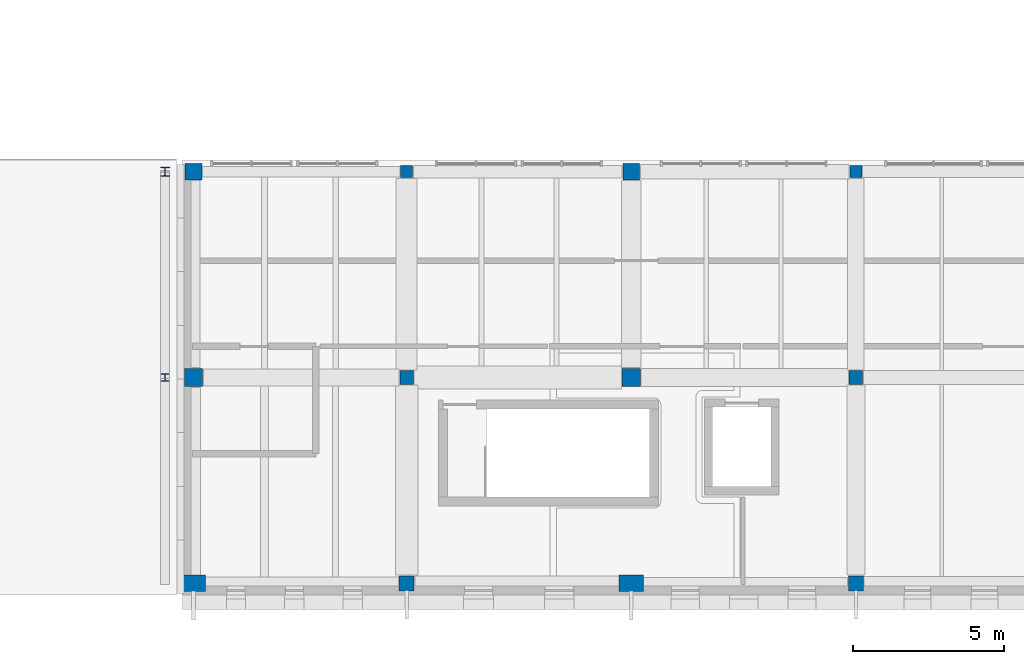
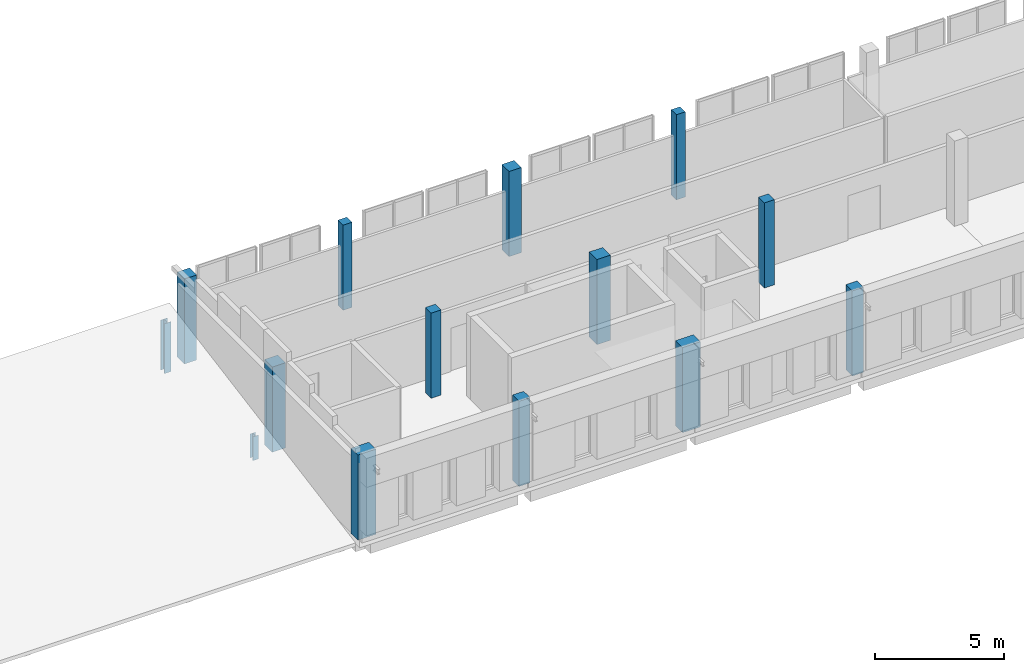
# One storey, part 5 of 56: 14 columns.
"""IFC4 building model written with IfcOpenShell, lengths in metres."""

from ifc_helpers import new_model, si_unit, direction, frame, origin, origin_2d, place, context, subcontext, project, spatial, rectangle, i_section, extrude, material, material_profile, profile_set, type_object, element, save


model = new_model("IFC4")

# Units and contexts
model_context = context("Model", 3, precision=1e-05, world=origin(), true_north=direction((0.0, 1.0)))
body_context = subcontext(model_context, "Body", "Model", "MODEL_VIEW")
ifc_project = project(units=[si_unit("LENGTHUNIT", "METRE"), si_unit("AREAUNIT", "SQUARE_METRE"), si_unit("VOLUMEUNIT", "CUBIC_METRE"), si_unit("PLANEANGLEUNIT", "RADIAN"), si_unit("MASSUNIT", "GRAM", prefix="KILO")], contexts=[model_context])

# Site, building, storey
site_placement = place(None, origin())
site = spatial("IfcSite", under=ifc_project, at=site_placement, CompositionType="ELEMENT")
building_placement = place(site_placement, origin())
building = spatial("IfcBuilding", under=site, at=building_placement, Name="Vardoun Plaza Health Centre", CompositionType="ELEMENT")
storey_placement = place(building_placement, frame((0.0, 0.0, 8.699951171875)))
storey = spatial("IfcBuildingStorey", under=building, at=storey_placement, Name="L02", CompositionType="ELEMENT", Elevation=8.699951171875)

# Columns
ifc_material_1 = material(Name="Concrete C40/50", Category="concrete")
ifc_material_profile_1 = material_profile(ifc_material_1, rectangle(XDim=0.39990234375, YDim=0.39990234375, at=origin_2d()), Name="RC-COL 400x400")
ifc_profile_set_1 = profile_set([ifc_material_profile_1], Name="Concrete C40/50")
column_type_1 = type_object("IfcColumnType", Name="C-08", PredefinedType="COLUMN", material=ifc_profile_set_1)
for number, where, z_axis, x_axis, name in (
    (1, (113.10009765625, 18.52001953125, 0.0), (0.0, 0.0, 1.0), (1.0, 0.0, 0.0), "V5 L02 Column C-V5-06"),
    (2, (127.97998046875, 18.52001953125, 0.0), (0.0, 0.0, 1.0), (1.0, 0.0, 0.0), "V5 L02 Column C-V5-12"),
):
    element("IfcColumn", number, at=place(storey_placement, frame(where, z_axis=z_axis, x_axis=x_axis)), inside=storey, type_object=column_type_1, Name=name, PredefinedType="COLUMN", context=body_context, shape_type="SweptSolid", body=[
        extrude(rectangle(XDim=0.39990234375, YDim=0.39990234375, at=origin_2d()), origin(), (0.0, 0.0, 1.0), 4.02001953125),
    ])
ifc_material_2 = material(Name="Concrete C40/50", Category="concrete")
ifc_material_profile_2 = material_profile(ifc_material_2, rectangle(XDim=0.449951171875, YDim=0.449951171875, at=origin_2d()), Name="RC-COL 450x450")
ifc_profile_set_2 = profile_set([ifc_material_profile_2], Name="Concrete C40/50")
column_type_2 = type_object("IfcColumnType", Name="C-07", PredefinedType="COLUMN", material=ifc_profile_set_2)
for number, where, z_axis, x_axis, name in (
    (3, (113.10009765625, 11.699951171875, 0.0), (0.0, 0.0, 1.0), (1.0, 0.0, 0.0), "V5 L02 Column C-V5-05"),
    (4, (127.97998046875, 11.699951171875, 0.0), (0.0, 0.0, 1.0), (1.0, 0.0, 0.0), "V5 L02 Column C-V5-11"),
):
    element("IfcColumn", number, at=place(storey_placement, frame(where, z_axis=z_axis, x_axis=x_axis)), inside=storey, type_object=column_type_2, Name=name, PredefinedType="COLUMN", context=body_context, shape_type="SweptSolid", body=[
        extrude(rectangle(XDim=0.449951171875, YDim=0.449951171875, at=origin_2d()), origin(), (0.0, 0.0, 1.0), 4.02001953125),
    ])
ifc_material_3 = material(Name="Concrete C40/50", Category="concrete")
ifc_material_profile_3 = material_profile(ifc_material_3, rectangle(XDim=0.5, YDim=0.5, at=origin_2d()), Name="RC-COL 500x500")
ifc_profile_set_3 = profile_set([ifc_material_profile_3], Name="Concrete C40/50")
column_type_3 = type_object("IfcColumnType", Name="C-06", PredefinedType="COLUMN", material=ifc_profile_set_3)
for number, where, z_axis, x_axis, name in (
    (5, (113.10009765625, 4.8798828125, 0.0), (0.0, 0.0, 1.0), (1.0, 0.0, 0.0), "V5 L02 Column C-V5-04"),
    (6, (127.97998046875, 4.8798828125, 0.0), (0.0, 0.0, 1.0), (1.0, 0.0, 0.0), "V5 L02 Column C-V5-10"),
):
    element("IfcColumn", number, at=place(storey_placement, frame(where, z_axis=z_axis, x_axis=x_axis)), inside=storey, type_object=column_type_3, Name=name, PredefinedType="COLUMN", context=body_context, shape_type="SweptSolid", body=[
        extrude(rectangle(XDim=0.5, YDim=0.5, at=origin_2d()), origin(), (0.0, 0.0, 1.0), 4.02001953125),
    ])
ifc_material_4 = material(Name="Concrete C40/50", Category="concrete")
ifc_material_profile_4 = material_profile(ifc_material_4, rectangle(XDim=0.550048828125, YDim=0.550048828125, at=origin_2d()), Name="RC-COL 550x550")
ifc_profile_set_4 = profile_set([ifc_material_profile_4], Name="Concrete C40/50")
column_type_4 = type_object("IfcColumnType", Name="C-05", PredefinedType="COLUMN", material=ifc_profile_set_4)
for number, where, z_axis, x_axis, name in (
    (7, (106.0400390625, 18.52001953125, 0.0), (0.0, 0.0, 1.0), (1.0, 0.0, 0.0), "V5 L02 Column C-V5-03"),
    (8, (120.5400390625, 18.52001953125, 0.0), (0.0, 0.0, 1.0), (1.0, 0.0, 0.0), "V5 L02 Column C-V5-09"),
):
    element("IfcColumn", number, at=place(storey_placement, frame(where, z_axis=z_axis, x_axis=x_axis)), inside=storey, type_object=column_type_4, Name=name, PredefinedType="COLUMN", context=body_context, shape_type="SweptSolid", body=[
        extrude(rectangle(XDim=0.550048828125, YDim=0.550048828125, at=origin_2d()), origin(), (0.0, 0.0, 1.0), 4.02001953125),
    ])
ifc_material_5 = material(Name="Concrete C40/50", Category="concrete")
ifc_material_profile_5 = material_profile(ifc_material_5, rectangle(XDim=0.60009765625, YDim=0.60009765625, at=origin_2d()), Name="RC-COL 600x600")
ifc_profile_set_5 = profile_set([ifc_material_profile_5], Name="Concrete C40/50")
column_type_5 = type_object("IfcColumnType", Name="C-04", PredefinedType="COLUMN", material=ifc_profile_set_5)
for number, where, z_axis, x_axis, name in (
    (9, (106.0400390625, 11.699951171875, 0.0), (0.0, 0.0, 1.0), (1.0, 0.0, 0.0), "V5 L02 Column C-V5-02"),
    (10, (120.5400390625, 11.699951171875, 0.0), (0.0, 0.0, 1.0), (1.0, 0.0, 0.0), "V5 L02 Column C-V5-08"),
):
    element("IfcColumn", number, at=place(storey_placement, frame(where, z_axis=z_axis, x_axis=x_axis)), inside=storey, type_object=column_type_5, Name=name, PredefinedType="COLUMN", context=body_context, shape_type="SweptSolid", body=[
        extrude(rectangle(XDim=0.60009765625, YDim=0.60009765625, at=origin_2d()), origin(), (0.0, 0.0, 1.0), 4.02001953125),
    ])
ifc_material_6 = material(Name="Concrete C40/50", Category="concrete")
ifc_material_profile_6 = material_profile(ifc_material_6, rectangle(XDim=0.800048828125, YDim=0.550048828125, at=origin_2d()), Name="RC-COL 800x550")
ifc_profile_set_6 = profile_set([ifc_material_profile_6], Name="Concrete C40/50")
column_type_6 = type_object("IfcColumnType", Name="C-09", PredefinedType="COLUMN", material=ifc_profile_set_6)
for number, where, z_axis, x_axis, name in (
    (11, (106.0400390625, 4.8798828125, 0.0), (0.0, 0.0, 1.0), (1.0, 0.0, 0.0), "V5 L02 Column C-V5-01"),
    (12, (120.5400390625, 4.8798828125, 0.0), (0.0, 0.0, 1.0), (1.0, 0.0, 0.0), "V5 L02 Column C-V5-07"),
):
    element("IfcColumn", number, at=place(storey_placement, frame(where, z_axis=z_axis, x_axis=x_axis)), inside=storey, type_object=column_type_6, Name=name, PredefinedType="COLUMN", context=body_context, shape_type="SweptSolid", body=[
        extrude(rectangle(XDim=0.800048828125, YDim=0.550048828125, at=origin_2d()), origin(), (0.0, 0.0, 1.0), 4.02001953125),
    ])
ifc_material_7 = material(Name="Steel S355J2", Category="steel")
ifc_material_profile_7 = material_profile(ifc_material_7, i_section(OverallWidth=0.239990234375, OverallDepth=0.239990234375, WebThickness=0.010009765625, FlangeThickness=0.01708984375, FilletRadius=0.02099609375, at=origin_2d()), Name="HEB 240")
ifc_profile_set_7 = profile_set([ifc_material_profile_7], Name="Steel S355J2")
column_type_7 = type_object("IfcColumnType", Name="C-19", PredefinedType="COLUMN", material=ifc_profile_set_7)
column_1_placement = place(storey_placement, frame((105.10009765625, 11.699951171875, -0.239990234375), z_axis=(0.0, 0.0, 1.0), x_axis=(1.0, 0.0, 0.0)))
element("IfcColumn", 13, at=column_1_placement, inside=storey, type_object=column_type_7, Name="V4 Clerestory Mid Post 7", PredefinedType="COLUMN", context=body_context, shape_type="SweptSolid", body=[
    extrude(i_section(OverallWidth=0.239990234375, OverallDepth=0.239990234375, WebThickness=0.010009765625, FlangeThickness=0.01708984375, FilletRadius=0.02099609375, at=origin_2d()), origin(), (0.0, 0.0, 1.0), 1.1201171875),
])
ifc_material_8 = material(Name="Steel S355J2", Category="steel")
ifc_material_profile_8 = material_profile(ifc_material_8, i_section(OverallWidth=0.300048828125, OverallDepth=0.300048828125, WebThickness=0.010986328125, FlangeThickness=0.01904296875, FilletRadius=0.027099609375, at=origin_2d()), Name="HEB 300")
ifc_profile_set_8 = profile_set([ifc_material_profile_8], Name="Steel S355J2")
column_type_8 = type_object("IfcColumnType", Name="C-18", PredefinedType="COLUMN", material=ifc_profile_set_8)
column_2_placement = place(storey_placement, frame((105.10009765625, 18.52001953125, -0.239990234375), z_axis=(0.0, 0.0, 1.0), x_axis=(1.0, 0.0, 0.0)))
element("IfcColumn", 14, at=column_2_placement, inside=storey, type_object=column_type_8, Name="V4 Clerestory Ridge Post 7", PredefinedType="COLUMN", context=body_context, shape_type="SweptSolid", body=[
    extrude(i_section(OverallWidth=0.300048828125, OverallDepth=0.300048828125, WebThickness=0.010986328125, FlangeThickness=0.01904296875, FilletRadius=0.027099609375, at=origin_2d()), origin(), (0.0, 0.0, 1.0), 2.351318359375),
])

save(model, "model.ifc")
